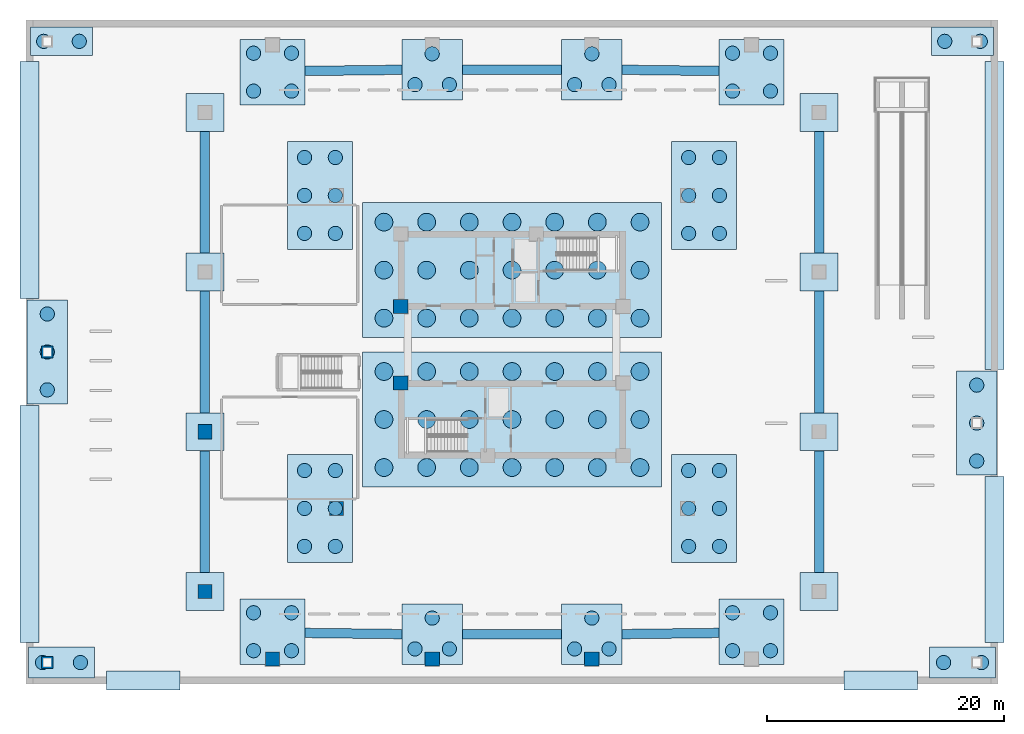
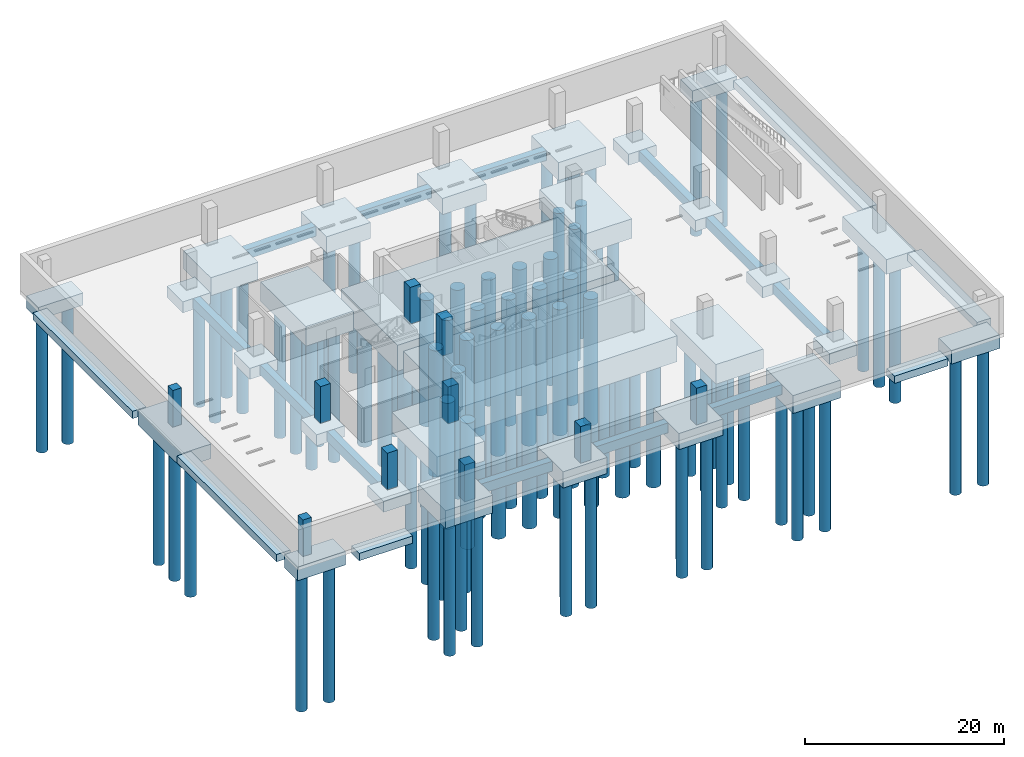
# One storey, part 1 of 8: 108 piles, 46 footings, 10 columns.
"""IFC4 building model written with IfcOpenShell, lengths in metres."""

from ifc_helpers import new_model, si_unit, direction, frame, origin, origin_2d, place, context, subcontext, project, spatial, rectangle, circle, extrude, material, material_profile, profile_set, type_object, element, save


model = new_model("IFC4")

# Units and contexts
model_context = context("Model", 3, precision=1e-05, world=origin(), true_north=direction((0.0, 1.0)))
body_context = subcontext(model_context, "Body", "Model", "MODEL_VIEW")
ifc_project = project(units=[si_unit("LENGTHUNIT", "METRE"), si_unit("AREAUNIT", "SQUARE_METRE"), si_unit("VOLUMEUNIT", "CUBIC_METRE"), si_unit("PLANEANGLEUNIT", "RADIAN"), si_unit("MASSUNIT", "GRAM", prefix="KILO")], contexts=[model_context])

# Site, building, storey
site_placement = place(None, origin())
site = spatial("IfcSite", under=ifc_project, at=site_placement, CompositionType="ELEMENT")
building_placement = place(site_placement, origin())
building = spatial("IfcBuilding", under=site, at=building_placement, Name="Qhalaya Broadcast Tower", CompositionType="ELEMENT")
storey_placement = place(building_placement, frame((0.0, 0.0, -9.0)))
storey = spatial("IfcBuildingStorey", under=building, at=storey_placement, Name="B02", CompositionType="ELEMENT", Elevation=-9.0)

# Piles
ifc_material_1 = material(Name="Concrete C45/55", Category="concrete")
ifc_material_profile_1 = material_profile(ifc_material_1, circle(Radius=0.60009765625, at=origin_2d()), Name="PILE D1200")
ifc_profile_set_1 = profile_set([ifc_material_profile_1], Name="Concrete C45/55")
pile_type_1 = type_object("IfcPileType", Name="Bored Concrete Foundation Pile D1200", PredefinedType="BORED", material=ifc_profile_set_1)
for number, where, z_axis, x_axis, name in (
    (1, (-17.5, -16.39990234375, -2.699951171875), (0.0, 0.0, -1.0), (1.0, 0.0, 0.0), "Bored Foundation Pile PL-043"),
    (2, (-14.89990234375, -16.39990234375, -2.699951171875), (0.0, 0.0, -1.0), (1.0, 0.0, 0.0), "Bored Foundation Pile PL-044"),
    (3, (-17.5, -13.199951171875, -2.699951171875), (0.0, 0.0, -1.0), (1.0, 0.0, 0.0), "Bored Foundation Pile PL-045"),
    (4, (-14.89990234375, -13.199951171875, -2.699951171875), (0.0, 0.0, -1.0), (1.0, 0.0, 0.0), "Bored Foundation Pile PL-046"),
    (5, (-17.5, -10.0, -2.699951171875), (0.0, 0.0, -1.0), (1.0, 0.0, 0.0), "Bored Foundation Pile PL-047"),
    (6, (-14.89990234375, -10.0, -2.699951171875), (0.0, 0.0, -1.0), (1.0, 0.0, 0.0), "Bored Foundation Pile PL-048"),
    (7, (14.89990234375, -16.39990234375, -2.699951171875), (0.0, 0.0, -1.0), (1.0, 0.0, 0.0), "Bored Foundation Pile PL-049"),
    (8, (17.5, -16.39990234375, -2.699951171875), (0.0, 0.0, -1.0), (1.0, 0.0, 0.0), "Bored Foundation Pile PL-050"),
    (9, (14.89990234375, -13.199951171875, -2.699951171875), (0.0, 0.0, -1.0), (1.0, 0.0, 0.0), "Bored Foundation Pile PL-051"),
    (10, (17.5, -13.199951171875, -2.699951171875), (0.0, 0.0, -1.0), (1.0, 0.0, 0.0), "Bored Foundation Pile PL-052"),
    (11, (14.89990234375, -10.0, -2.699951171875), (0.0, 0.0, -1.0), (1.0, 0.0, 0.0), "Bored Foundation Pile PL-053"),
    (12, (17.5, -10.0, -2.699951171875), (0.0, 0.0, -1.0), (1.0, 0.0, 0.0), "Bored Foundation Pile PL-054"),
    (13, (-17.5, 10.0, -2.699951171875), (0.0, 0.0, -1.0), (1.0, 0.0, 0.0), "Bored Foundation Pile PL-055"),
    (14, (-14.89990234375, 10.0, -2.699951171875), (0.0, 0.0, -1.0), (1.0, 0.0, 0.0), "Bored Foundation Pile PL-056"),
    (15, (-17.5, 13.199951171875, -2.699951171875), (0.0, 0.0, -1.0), (1.0, 0.0, 0.0), "Bored Foundation Pile PL-057"),
    (16, (-14.89990234375, 13.199951171875, -2.699951171875), (0.0, 0.0, -1.0), (1.0, 0.0, 0.0), "Bored Foundation Pile PL-058"),
    (17, (-17.5, 16.39990234375, -2.699951171875), (0.0, 0.0, -1.0), (1.0, 0.0, 0.0), "Bored Foundation Pile PL-059"),
    (18, (-14.89990234375, 16.39990234375, -2.699951171875), (0.0, 0.0, -1.0), (1.0, 0.0, 0.0), "Bored Foundation Pile PL-060"),
    (19, (14.89990234375, 10.0, -2.699951171875), (0.0, 0.0, -1.0), (1.0, 0.0, 0.0), "Bored Foundation Pile PL-061"),
    (20, (17.5, 10.0, -2.699951171875), (0.0, 0.0, -1.0), (1.0, 0.0, 0.0), "Bored Foundation Pile PL-062"),
    (21, (14.89990234375, 13.199951171875, -2.699951171875), (0.0, 0.0, -1.0), (1.0, 0.0, 0.0), "Bored Foundation Pile PL-063"),
    (22, (17.5, 13.199951171875, -2.699951171875), (0.0, 0.0, -1.0), (1.0, 0.0, 0.0), "Bored Foundation Pile PL-064"),
    (23, (14.89990234375, 16.39990234375, -2.699951171875), (0.0, 0.0, -1.0), (1.0, 0.0, 0.0), "Bored Foundation Pile PL-065"),
    (24, (17.5, 16.39990234375, -2.699951171875), (0.0, 0.0, -1.0), (1.0, 0.0, 0.0), "Bored Foundation Pile PL-066"),
):
    element("IfcPile", number, at=place(storey_placement, frame(where, z_axis=z_axis, x_axis=x_axis)), inside=storey, type_object=pile_type_1, Name=name, PredefinedType="BORED", context=body_context, shape_type="SweptSolid", body=[
        extrude(circle(Radius=0.60009765625, at=origin_2d()), origin(), (0.0, 0.0, 1.0), 16.300048828125),
    ])
for number, where, z_axis, x_axis, name in (
    (25, (-21.800048828125, -25.199951171875, -2.5), (0.0, 0.0, -1.0), (1.0, 0.0, 0.0), "Bored Foundation Pile PL-067"),
    (26, (-18.60009765625, -25.199951171875, -2.5), (0.0, 0.0, -1.0), (1.0, 0.0, 0.0), "Bored Foundation Pile PL-068"),
    (27, (-21.800048828125, -22.0, -2.5), (0.0, 0.0, -1.0), (1.0, 0.0, 0.0), "Bored Foundation Pile PL-069"),
    (28, (-18.60009765625, -22.0, -2.5), (0.0, 0.0, -1.0), (1.0, 0.0, 0.0), "Bored Foundation Pile PL-070"),
    (29, (18.60009765625, -25.199951171875, -2.5), (0.0, 0.0, -1.0), (1.0, 0.0, 0.0), "Bored Foundation Pile PL-071"),
    (30, (21.800048828125, -25.199951171875, -2.5), (0.0, 0.0, -1.0), (1.0, 0.0, 0.0), "Bored Foundation Pile PL-072"),
    (31, (18.60009765625, -22.0, -2.5), (0.0, 0.0, -1.0), (1.0, 0.0, 0.0), "Bored Foundation Pile PL-073"),
    (32, (21.800048828125, -22.0, -2.5), (0.0, 0.0, -1.0), (1.0, 0.0, 0.0), "Bored Foundation Pile PL-074"),
    (33, (-21.800048828125, 22.0, -2.5), (0.0, 0.0, -1.0), (1.0, 0.0, 0.0), "Bored Foundation Pile PL-075"),
    (34, (-18.60009765625, 22.0, -2.5), (0.0, 0.0, -1.0), (1.0, 0.0, 0.0), "Bored Foundation Pile PL-076"),
    (35, (-21.800048828125, 25.199951171875, -2.5), (0.0, 0.0, -1.0), (1.0, 0.0, 0.0), "Bored Foundation Pile PL-077"),
    (36, (-18.60009765625, 25.199951171875, -2.5), (0.0, 0.0, -1.0), (1.0, 0.0, 0.0), "Bored Foundation Pile PL-078"),
    (37, (18.60009765625, 22.0, -2.5), (0.0, 0.0, -1.0), (1.0, 0.0, 0.0), "Bored Foundation Pile PL-079"),
    (38, (21.800048828125, 22.0, -2.5), (0.0, 0.0, -1.0), (1.0, 0.0, 0.0), "Bored Foundation Pile PL-080"),
    (39, (18.60009765625, 25.199951171875, -2.5), (0.0, 0.0, -1.0), (1.0, 0.0, 0.0), "Bored Foundation Pile PL-081"),
    (40, (21.800048828125, 25.199951171875, -2.5), (0.0, 0.0, -1.0), (1.0, 0.0, 0.0), "Bored Foundation Pile PL-082"),
):
    element("IfcPile", number, at=place(storey_placement, frame(where, z_axis=z_axis, x_axis=x_axis)), inside=storey, type_object=pile_type_1, Name=name, PredefinedType="BORED", context=body_context, shape_type="SweptSolid", body=[
        extrude(circle(Radius=0.60009765625, at=origin_2d()), origin(), (0.0, 0.0, 1.0), 16.5),
    ])
for number, where, z_axis, x_axis, name in (
    (41, (-8.183349609375, -25.050048828125, -2.300048828125), (0.0, 0.0, -1.0), (1.0, 0.0, 0.0), "Bored Foundation Pile PL-083"),
    (42, (-5.283203125, -25.050048828125, -2.300048828125), (0.0, 0.0, -1.0), (1.0, 0.0, 0.0), "Bored Foundation Pile PL-084"),
    (43, (-6.7333984375, -22.449951171875, -2.300048828125), (0.0, 0.0, -1.0), (1.0, 0.0, 0.0), "Bored Foundation Pile PL-085"),
    (44, (5.283203125, -25.050048828125, -2.300048828125), (0.0, 0.0, -1.0), (1.0, 0.0, 0.0), "Bored Foundation Pile PL-086"),
    (45, (8.183349609375, -25.050048828125, -2.300048828125), (0.0, 0.0, -1.0), (1.0, 0.0, 0.0), "Bored Foundation Pile PL-087"),
    (46, (6.7333984375, -22.449951171875, -2.300048828125), (0.0, 0.0, -1.0), (1.0, 0.0, 0.0), "Bored Foundation Pile PL-088"),
    (47, (-8.183349609375, 22.550048828125, -2.300048828125), (0.0, 0.0, -1.0), (1.0, 0.0, 0.0), "Bored Foundation Pile PL-089"),
    (48, (-5.283203125, 22.550048828125, -2.300048828125), (0.0, 0.0, -1.0), (1.0, 0.0, 0.0), "Bored Foundation Pile PL-090"),
    (49, (-6.7333984375, 25.14990234375, -2.300048828125), (0.0, 0.0, -1.0), (1.0, 0.0, 0.0), "Bored Foundation Pile PL-091"),
    (50, (5.283203125, 22.550048828125, -2.300048828125), (0.0, 0.0, -1.0), (1.0, 0.0, 0.0), "Bored Foundation Pile PL-092"),
    (51, (8.183349609375, 22.550048828125, -2.300048828125), (0.0, 0.0, -1.0), (1.0, 0.0, 0.0), "Bored Foundation Pile PL-093"),
    (52, (6.7333984375, 25.14990234375, -2.300048828125), (0.0, 0.0, -1.0), (1.0, 0.0, 0.0), "Bored Foundation Pile PL-094"),
):
    element("IfcPile", number, at=place(storey_placement, frame(where, z_axis=z_axis, x_axis=x_axis)), inside=storey, type_object=pile_type_1, Name=name, PredefinedType="BORED", context=body_context, shape_type="SweptSolid", body=[
        extrude(circle(Radius=0.60009765625, at=origin_2d()), origin(), (0.0, 0.0, 1.0), 16.699951171875),
    ])
for number, where, z_axis, x_axis, name in (
    (53, (-39.199951171875, -3.199951171875, -2.10009765625), (0.0, 0.0, -1.0), (1.0, 0.0, 0.0), "Bored Foundation Pile PL-095"),
    (54, (-39.199951171875, 0.0, -2.10009765625), (0.0, 0.0, -1.0), (1.0, 0.0, 0.0), "Bored Foundation Pile PL-096"),
    (55, (-39.199951171875, 3.199951171875, -2.10009765625), (0.0, 0.0, -1.0), (1.0, 0.0, 0.0), "Bored Foundation Pile PL-097"),
    (56, (39.199951171875, -9.199951171875, -2.10009765625), (0.0, 0.0, -1.0), (1.0, 0.0, 0.0), "Bored Foundation Pile PL-098"),
    (57, (39.199951171875, -6.0, -2.10009765625), (0.0, 0.0, -1.0), (1.0, 0.0, 0.0), "Bored Foundation Pile PL-099"),
    (58, (39.199951171875, -2.800048828125, -2.10009765625), (0.0, 0.0, -1.0), (1.0, 0.0, 0.0), "Bored Foundation Pile PL-100"),
):
    element("IfcPile", number, at=place(storey_placement, frame(where, z_axis=z_axis, x_axis=x_axis)), inside=storey, type_object=pile_type_1, Name=name, PredefinedType="BORED", context=body_context, shape_type="SweptSolid", body=[
        extrude(circle(Radius=0.60009765625, at=origin_2d()), origin(), (0.0, 0.0, 1.0), 16.89990234375),
    ])
for number, where, z_axis, x_axis, name in (
    (59, (-39.60009765625, -26.199951171875, -1.949951171875), (0.0, 0.0, -1.0), (1.0, 0.0, 0.0), "Bored Foundation Pile PL-101"),
    (60, (-36.39990234375, -26.199951171875, -1.949951171875), (0.0, 0.0, -1.0), (1.0, 0.0, 0.0), "Bored Foundation Pile PL-102"),
    (61, (36.39990234375, -26.199951171875, -1.949951171875), (0.0, 0.0, -1.0), (1.0, 0.0, 0.0), "Bored Foundation Pile PL-103"),
    (62, (39.60009765625, -26.199951171875, -1.949951171875), (0.0, 0.0, -1.0), (1.0, 0.0, 0.0), "Bored Foundation Pile PL-104"),
):
    element("IfcPile", number, at=place(storey_placement, frame(where, z_axis=z_axis, x_axis=x_axis)), inside=storey, type_object=pile_type_1, Name=name, PredefinedType="BORED", context=body_context, shape_type="SweptSolid", body=[
        extrude(circle(Radius=0.60009765625, at=origin_2d()), origin(), (0.0, 0.0, 1.0), 17.050048828125),
    ])
for number, where, z_axis, x_axis, name in (
    (63, (-39.5, 26.199951171875, -1.800048828125), (0.0, 0.0, -1.0), (1.0, 0.0, 0.0), "Bored Foundation Pile PL-105"),
    (64, (-36.5, 26.199951171875, -1.800048828125), (0.0, 0.0, -1.0), (1.0, 0.0, 0.0), "Bored Foundation Pile PL-106"),
    (65, (36.5, 26.199951171875, -1.800048828125), (0.0, 0.0, -1.0), (1.0, 0.0, 0.0), "Bored Foundation Pile PL-107"),
    (66, (39.5, 26.199951171875, -1.800048828125), (0.0, 0.0, -1.0), (1.0, 0.0, 0.0), "Bored Foundation Pile PL-108"),
):
    element("IfcPile", number, at=place(storey_placement, frame(where, z_axis=z_axis, x_axis=x_axis)), inside=storey, type_object=pile_type_1, Name=name, PredefinedType="BORED", context=body_context, shape_type="SweptSolid", body=[
        extrude(circle(Radius=0.60009765625, at=origin_2d()), origin(), (0.0, 0.0, 1.0), 17.199951171875),
    ])
ifc_material_profile_2 = material_profile(ifc_material_1, circle(Radius=0.75, at=origin_2d()), Name="PILE D1500")
ifc_profile_set_2 = profile_set([ifc_material_profile_2], Name="Concrete C45/55")
pile_type_2 = type_object("IfcPileType", Name="Bored Concrete Foundation Pile D1500", PredefinedType="BORED", material=ifc_profile_set_2)
for number, where, z_axis, x_axis, name in (
    (67, (-10.800048828125, 2.85009765625, -3.5), (0.0, 0.0, -1.0), (1.0, 0.0, 0.0), "Bored Foundation Pile PL-001"),
    (68, (-7.199951171875, 2.85009765625, -3.5), (0.0, 0.0, -1.0), (1.0, 0.0, 0.0), "Bored Foundation Pile PL-002"),
    (69, (-3.60009765625, 2.85009765625, -3.5), (0.0, 0.0, -1.0), (1.0, 0.0, 0.0), "Bored Foundation Pile PL-003"),
    (70, (0.0, 2.85009765625, -3.5), (0.0, 0.0, -1.0), (1.0, 0.0, 0.0), "Bored Foundation Pile PL-004"),
    (71, (3.60009765625, 2.85009765625, -3.5), (0.0, 0.0, -1.0), (1.0, 0.0, 0.0), "Bored Foundation Pile PL-005"),
    (72, (7.199951171875, 2.85009765625, -3.5), (0.0, 0.0, -1.0), (1.0, 0.0, 0.0), "Bored Foundation Pile PL-006"),
    (73, (10.800048828125, 2.85009765625, -3.5), (0.0, 0.0, -1.0), (1.0, 0.0, 0.0), "Bored Foundation Pile PL-007"),
    (74, (-10.800048828125, 6.89990234375, -3.5), (0.0, 0.0, -1.0), (1.0, 0.0, 0.0), "Bored Foundation Pile PL-008"),
    (75, (-7.199951171875, 6.89990234375, -3.5), (0.0, 0.0, -1.0), (1.0, 0.0, 0.0), "Bored Foundation Pile PL-009"),
    (76, (-3.60009765625, 6.89990234375, -3.5), (0.0, 0.0, -1.0), (1.0, 0.0, 0.0), "Bored Foundation Pile PL-010"),
    (77, (0.0, 6.89990234375, -3.5), (0.0, 0.0, -1.0), (1.0, 0.0, 0.0), "Bored Foundation Pile PL-011"),
    (78, (3.60009765625, 6.89990234375, -3.5), (0.0, 0.0, -1.0), (1.0, 0.0, 0.0), "Bored Foundation Pile PL-012"),
    (79, (7.199951171875, 6.89990234375, -3.5), (0.0, 0.0, -1.0), (1.0, 0.0, 0.0), "Bored Foundation Pile PL-013"),
    (80, (10.800048828125, 6.89990234375, -3.5), (0.0, 0.0, -1.0), (1.0, 0.0, 0.0), "Bored Foundation Pile PL-014"),
    (81, (-10.800048828125, 10.949951171875, -3.5), (0.0, 0.0, -1.0), (1.0, 0.0, 0.0), "Bored Foundation Pile PL-015"),
    (82, (-7.199951171875, 10.949951171875, -3.5), (0.0, 0.0, -1.0), (1.0, 0.0, 0.0), "Bored Foundation Pile PL-016"),
    (83, (-3.60009765625, 10.949951171875, -3.5), (0.0, 0.0, -1.0), (1.0, 0.0, 0.0), "Bored Foundation Pile PL-017"),
    (84, (0.0, 10.949951171875, -3.5), (0.0, 0.0, -1.0), (1.0, 0.0, 0.0), "Bored Foundation Pile PL-018"),
    (85, (3.60009765625, 10.949951171875, -3.5), (0.0, 0.0, -1.0), (1.0, 0.0, 0.0), "Bored Foundation Pile PL-019"),
    (86, (7.199951171875, 10.949951171875, -3.5), (0.0, 0.0, -1.0), (1.0, 0.0, 0.0), "Bored Foundation Pile PL-020"),
    (87, (10.800048828125, 10.949951171875, -3.5), (0.0, 0.0, -1.0), (1.0, 0.0, 0.0), "Bored Foundation Pile PL-021"),
    (88, (-10.800048828125, -9.75, -3.5), (0.0, 0.0, -1.0), (1.0, 0.0, 0.0), "Bored Foundation Pile PL-022"),
    (89, (-7.199951171875, -9.75, -3.5), (0.0, 0.0, -1.0), (1.0, 0.0, 0.0), "Bored Foundation Pile PL-023"),
    (90, (-3.60009765625, -9.75, -3.5), (0.0, 0.0, -1.0), (1.0, 0.0, 0.0), "Bored Foundation Pile PL-024"),
    (91, (0.0, -9.75, -3.5), (0.0, 0.0, -1.0), (1.0, 0.0, 0.0), "Bored Foundation Pile PL-025"),
    (92, (3.60009765625, -9.75, -3.5), (0.0, 0.0, -1.0), (1.0, 0.0, 0.0), "Bored Foundation Pile PL-026"),
    (93, (7.199951171875, -9.75, -3.5), (0.0, 0.0, -1.0), (1.0, 0.0, 0.0), "Bored Foundation Pile PL-027"),
    (94, (10.800048828125, -9.75, -3.5), (0.0, 0.0, -1.0), (1.0, 0.0, 0.0), "Bored Foundation Pile PL-028"),
    (95, (-10.800048828125, -5.699951171875, -3.5), (0.0, 0.0, -1.0), (1.0, 0.0, 0.0), "Bored Foundation Pile PL-029"),
    (96, (-7.199951171875, -5.699951171875, -3.5), (0.0, 0.0, -1.0), (1.0, 0.0, 0.0), "Bored Foundation Pile PL-030"),
    (97, (-3.60009765625, -5.699951171875, -3.5), (0.0, 0.0, -1.0), (1.0, 0.0, 0.0), "Bored Foundation Pile PL-031"),
    (98, (0.0, -5.699951171875, -3.5), (0.0, 0.0, -1.0), (1.0, 0.0, 0.0), "Bored Foundation Pile PL-032"),
    (99, (3.60009765625, -5.699951171875, -3.5), (0.0, 0.0, -1.0), (1.0, 0.0, 0.0), "Bored Foundation Pile PL-033"),
    (100, (7.199951171875, -5.699951171875, -3.5), (0.0, 0.0, -1.0), (1.0, 0.0, 0.0), "Bored Foundation Pile PL-034"),
    (101, (10.800048828125, -5.699951171875, -3.5), (0.0, 0.0, -1.0), (1.0, 0.0, 0.0), "Bored Foundation Pile PL-035"),
    (102, (-10.800048828125, -1.64990234375, -3.5), (0.0, 0.0, -1.0), (1.0, 0.0, 0.0), "Bored Foundation Pile PL-036"),
    (103, (-7.199951171875, -1.64990234375, -3.5), (0.0, 0.0, -1.0), (1.0, 0.0, 0.0), "Bored Foundation Pile PL-037"),
    (104, (-3.60009765625, -1.64990234375, -3.5), (0.0, 0.0, -1.0), (1.0, 0.0, 0.0), "Bored Foundation Pile PL-038"),
    (105, (0.0, -1.64990234375, -3.5), (0.0, 0.0, -1.0), (1.0, 0.0, 0.0), "Bored Foundation Pile PL-039"),
    (106, (3.60009765625, -1.64990234375, -3.5), (0.0, 0.0, -1.0), (1.0, 0.0, 0.0), "Bored Foundation Pile PL-040"),
    (107, (7.199951171875, -1.64990234375, -3.5), (0.0, 0.0, -1.0), (1.0, 0.0, 0.0), "Bored Foundation Pile PL-041"),
    (108, (10.800048828125, -1.64990234375, -3.5), (0.0, 0.0, -1.0), (1.0, 0.0, 0.0), "Bored Foundation Pile PL-042"),
):
    element("IfcPile", number, at=place(storey_placement, frame(where, z_axis=z_axis, x_axis=x_axis)), inside=storey, type_object=pile_type_2, Name=name, PredefinedType="BORED", context=body_context, shape_type="SweptSolid", body=[
        extrude(circle(Radius=0.75, at=origin_2d()), origin(), (0.0, 0.0, 1.0), 15.5),
    ])

# Footings
ifc_material_2 = material(Name="Concrete C50/60", Category="concrete")
footing_type_1 = type_object("IfcFootingType", Name="Concourse Portal 2-Pile Cap PC-06", PredefinedType="PILE_CAP", material=ifc_material_2)
for number, where, z_axis, x_axis, name in (
    (109, (-38.0, 26.199951171875, -1.949951171875), (0.0, 0.0, 1.0), (1.0, 0.0, 0.0), "Foundation Pile Cap FT-CAP-17"),
    (110, (38.0, 26.199951171875, -1.949951171875), (0.0, 0.0, 1.0), (1.0, 0.0, 0.0), "Foundation Pile Cap FT-CAP-18"),
):
    element("IfcFooting", number, at=place(storey_placement, frame(where, z_axis=z_axis, x_axis=x_axis)), inside=storey, type_object=footing_type_1, Name=name, PredefinedType="PILE_CAP", context=body_context, shape_type="SweptSolid", body=[
        extrude(rectangle(XDim=5.199951171875, YDim=2.39990234375, at=origin_2d()), origin(), (0.0, 0.0, 1.0), 1.5),
    ])
footing_type_2 = type_object("IfcFootingType", Name="Exoskeleton Corner 4-Pile Cap PC-02", PredefinedType="PILE_CAP", material=ifc_material_2)
for number, where, z_axis, x_axis, name in (
    (111, (-20.199951171875, -23.60009765625, -2.64990234375), (0.0, 0.0, 1.0), (1.0, 0.0, 0.0), "Foundation Pile Cap FT-CAP-05"),
    (112, (20.199951171875, -23.60009765625, -2.64990234375), (0.0, 0.0, 1.0), (1.0, 0.0, 0.0), "Foundation Pile Cap FT-CAP-06"),
    (113, (-20.199951171875, 23.60009765625, -2.64990234375), (0.0, 0.0, 1.0), (1.0, 0.0, 0.0), "Foundation Pile Cap FT-CAP-07"),
    (114, (20.199951171875, 23.60009765625, -2.64990234375), (0.0, 0.0, 1.0), (1.0, 0.0, 0.0), "Foundation Pile Cap FT-CAP-08"),
):
    element("IfcFooting", number, at=place(storey_placement, frame(where, z_axis=z_axis, x_axis=x_axis)), inside=storey, type_object=footing_type_2, Name=name, PredefinedType="PILE_CAP", context=body_context, shape_type="SweptSolid", body=[
        extrude(rectangle(XDim=5.5, YDim=5.5, at=origin_2d()), origin(), (0.0, 0.0, 1.0), 2.199951171875),
    ])
footing_type_3 = type_object("IfcFootingType", Name="Mega-Column 6-Pile Cap PC-01", PredefinedType="PILE_CAP", material=ifc_material_2)
for number, where, z_axis, x_axis, name in (
    (115, (-16.199951171875, -13.199951171875, -2.849853515625), (0.0, 0.0, 1.0), (1.0, 0.0, 0.0), "Foundation Pile Cap FT-CAP-01"),
    (116, (16.199951171875, -13.199951171875, -2.849853515625), (0.0, 0.0, 1.0), (1.0, 0.0, 0.0), "Foundation Pile Cap FT-CAP-02"),
    (117, (-16.199951171875, 13.199951171875, -2.849853515625), (0.0, 0.0, 1.0), (1.0, 0.0, 0.0), "Foundation Pile Cap FT-CAP-03"),
    (118, (16.199951171875, 13.199951171875, -2.849853515625), (0.0, 0.0, 1.0), (1.0, 0.0, 0.0), "Foundation Pile Cap FT-CAP-04"),
):
    element("IfcFooting", number, at=place(storey_placement, frame(where, z_axis=z_axis, x_axis=x_axis)), inside=storey, type_object=footing_type_3, Name=name, PredefinedType="PILE_CAP", context=body_context, shape_type="SweptSolid", body=[
        extrude(rectangle(XDim=5.5, YDim=9.10009765625, at=origin_2d()), origin(), (0.0, 0.0, 1.0), 2.39990234375),
    ])
footing_type_4 = type_object("IfcFootingType", Name="North & South Split-Core Piled Raft 3200", PredefinedType="PAD_FOOTING", material=ifc_material_2)
for number, where, z_axis, x_axis, name in (
    (119, (0.0, 6.89990234375, -3.64990234375), (0.0, 0.0, 1.0), (1.0, 0.0, 0.0), "North Split-Core Piled Raft RF-N"),
    (120, (0.0, -5.699951171875, -3.64990234375), (0.0, 0.0, 1.0), (1.0, 0.0, 0.0), "South Split-Core Piled Raft RF-S"),
):
    element("IfcFooting", number, at=place(storey_placement, frame(where, z_axis=z_axis, x_axis=x_axis)), inside=storey, type_object=footing_type_4, Name=name, PredefinedType="PAD_FOOTING", context=body_context, shape_type="SweptSolid", body=[
        extrude(rectangle(XDim=25.199951171875, YDim=11.39990234375, at=origin_2d()), origin(), (0.0, 0.0, 1.0), 3.199951171875),
    ])
footing_type_5 = type_object("IfcFootingType", Name="Podium Perimeter 2-Pile Cap PC-05", PredefinedType="PILE_CAP", material=ifc_material_2)
for number, where, z_axis, x_axis, name in (
    (121, (-38.0, -26.199951171875, -2.099853515625), (0.0, 0.0, 1.0), (1.0, 0.0, 0.0), "Foundation Pile Cap FT-CAP-15"),
    (122, (38.0, -26.199951171875, -2.099853515625), (0.0, 0.0, 1.0), (1.0, 0.0, 0.0), "Foundation Pile Cap FT-CAP-16"),
):
    element("IfcFooting", number, at=place(storey_placement, frame(where, z_axis=z_axis, x_axis=x_axis)), inside=storey, type_object=footing_type_5, Name=name, PredefinedType="PILE_CAP", context=body_context, shape_type="SweptSolid", body=[
        extrude(rectangle(XDim=5.60009765625, YDim=2.60009765625, at=origin_2d()), origin(), (0.0, 0.0, 1.0), 1.64990234375),
    ])
footing_type_6 = type_object("IfcFootingType", Name="Podium Soundstage 3-Pile Cap PC-04", PredefinedType="PILE_CAP", material=ifc_material_2)
for number, where, z_axis, x_axis, name in (
    (123, (-39.199951171875, 0.0, -2.25), (0.0, 0.0, 1.0), (1.0, 0.0, 0.0), "Foundation Pile Cap FT-CAP-13"),
    (124, (39.199951171875, -6.0, -2.25), (0.0, 0.0, 1.0), (1.0, 0.0, 0.0), "Foundation Pile Cap FT-CAP-14"),
):
    element("IfcFooting", number, at=place(storey_placement, frame(where, z_axis=z_axis, x_axis=x_axis)), inside=storey, type_object=footing_type_6, Name=name, PredefinedType="PILE_CAP", context=body_context, shape_type="SweptSolid", body=[
        extrude(rectangle(XDim=3.39990234375, YDim=8.800048828125, at=origin_2d()), origin(), (0.0, 0.0, 1.0), 1.800048828125),
    ])
footing_type_7 = type_object("IfcFootingType", Name="Ramp & Dock Pad Footing PF-01", PredefinedType="PAD_FOOTING", material=ifc_material_2)
for number, where, z_axis, x_axis, name in (
    (125, (-25.89990234375, -20.199951171875, -1.800048828125), (0.0, 0.0, 1.0), (1.0, 0.0, 0.0), "Substructure Pad Footing PF-01"),
    (126, (25.89990234375, -20.199951171875, -1.800048828125), (0.0, 0.0, 1.0), (1.0, 0.0, 0.0), "Substructure Pad Footing PF-02"),
    (127, (-25.89990234375, 20.199951171875, -1.800048828125), (0.0, 0.0, 1.0), (1.0, 0.0, 0.0), "Substructure Pad Footing PF-03"),
    (128, (25.89990234375, 20.199951171875, -1.800048828125), (0.0, 0.0, 1.0), (1.0, 0.0, 0.0), "Substructure Pad Footing PF-04"),
    (129, (-25.89990234375, -6.7333984375, -1.800048828125), (0.0, 0.0, 1.0), (1.0, 0.0, 0.0), "Substructure Pad Footing PF-05"),
    (130, (25.89990234375, -6.7333984375, -1.800048828125), (0.0, 0.0, 1.0), (1.0, 0.0, 0.0), "Substructure Pad Footing PF-06"),
    (131, (-25.89990234375, 6.7333984375, -1.800048828125), (0.0, 0.0, 1.0), (1.0, 0.0, 0.0), "Substructure Pad Footing PF-07"),
    (132, (25.89990234375, 6.7333984375, -1.800048828125), (0.0, 0.0, 1.0), (1.0, 0.0, 0.0), "Substructure Pad Footing PF-08"),
):
    element("IfcFooting", number, at=place(storey_placement, frame(where, z_axis=z_axis, x_axis=x_axis)), inside=storey, type_object=footing_type_7, Name=name, PredefinedType="PAD_FOOTING", context=body_context, shape_type="SweptSolid", body=[
        extrude(rectangle(XDim=3.199951171875, YDim=3.199951171875, at=origin_2d()), origin(), (0.0, 0.0, 1.0), 1.35009765625),
    ])
footing_type_8 = type_object("IfcFootingType", Name="Retaining Wall Strip Footing SF-01", PredefinedType="STRIP_FOOTING", material=ifc_material_2)
for number, where, z_axis, x_axis, name in (
    (133, (-40.699951171875, -14.5, -1.349853515625), (0.0, 0.0, 1.0), (0.0, 1.0, 0.0), "Retaining Wall Strip Footing SF-01"),
    (134, (-40.699951171875, 14.5, -1.349853515625), (0.0, 0.0, 1.0), (0.0, 1.0, 0.0), "Retaining Wall Strip Footing SF-02"),
):
    element("IfcFooting", number, at=place(storey_placement, frame(where, z_axis=z_axis, x_axis=x_axis)), inside=storey, type_object=footing_type_8, Name=name, PredefinedType="STRIP_FOOTING", context=body_context, shape_type="SweptSolid", body=[
        extrude(rectangle(XDim=20.0, YDim=1.60009765625, at=origin_2d()), origin(), (0.0, 0.0, 1.0), 0.89990234375),
    ])
footing_1_placement = place(storey_placement, frame((40.699951171875, -17.5, -1.349853515625), z_axis=(0.0, 0.0, 1.0), x_axis=(0.0, 1.0, 0.0)))
element("IfcFooting", 135, at=footing_1_placement, inside=storey, type_object=footing_type_8, Name="Retaining Wall Strip Footing SF-03", PredefinedType="STRIP_FOOTING", context=body_context, shape_type="SweptSolid", body=[
    extrude(rectangle(XDim=14.0, YDim=1.60009765625, at=origin_2d()), origin(), (0.0, 0.0, 1.0), 0.89990234375),
])
footing_2_placement = place(storey_placement, frame((40.699951171875, 11.5, -1.349853515625), z_axis=(0.0, 0.0, 1.0), x_axis=(0.0, 1.0, 0.0)))
element("IfcFooting", 136, at=footing_2_placement, inside=storey, type_object=footing_type_8, Name="Retaining Wall Strip Footing SF-04", PredefinedType="STRIP_FOOTING", context=body_context, shape_type="SweptSolid", body=[
    extrude(rectangle(XDim=26.0, YDim=1.60009765625, at=origin_2d()), origin(), (0.0, 0.0, 1.0), 0.89990234375),
])
for number, where, z_axis, x_axis, name in (
    (137, (-31.10009765625, -27.699951171875, -1.349853515625), (0.0, 0.0, 1.0), (1.0, 0.0, 0.0), "Retaining Wall Strip Footing SF-05"),
    (138, (31.10009765625, -27.699951171875, -1.349853515625), (0.0, 0.0, 1.0), (1.0, 0.0, 0.0), "Retaining Wall Strip Footing SF-06"),
):
    element("IfcFooting", number, at=place(storey_placement, frame(where, z_axis=z_axis, x_axis=x_axis)), inside=storey, type_object=footing_type_8, Name=name, PredefinedType="STRIP_FOOTING", context=body_context, shape_type="SweptSolid", body=[
        extrude(rectangle(XDim=6.199951171875, YDim=1.60009765625, at=origin_2d()), origin(), (0.0, 0.0, 1.0), 0.89990234375),
    ])
footing_type_9 = type_object("IfcFootingType", Name="Substructure Ground Tie Beam GB-01", PredefinedType="FOOTING_BEAM", material=ifc_material_2)
footing_3_placement = place(storey_placement, frame((-13.3701171875, -23.75, -1.64990234375), z_axis=(0.0, 0.0, 1.0), x_axis=(0.999924921212, -0.012253650006, 0.0)))
element("IfcFooting", 139, at=footing_3_placement, inside=storey, type_object=footing_type_9, Name="Substructure Ground Tie Beam GB-01", PredefinedType="FOOTING_BEAM", context=body_context, shape_type="SweptSolid", body=[
    extrude(rectangle(XDim=8.16064453125, YDim=0.800048828125, at=origin_2d()), origin(), (0.0, 0.0, 1.0), 1.199951171875),
])
footing_4_placement = place(storey_placement, frame((0.0, -23.800048828125, -1.64990234375), z_axis=(0.0, 0.0, 1.0), x_axis=(1.0, 0.0, 0.0)))
element("IfcFooting", 140, at=footing_4_placement, inside=storey, type_object=footing_type_9, Name="Substructure Ground Tie Beam GB-02", PredefinedType="FOOTING_BEAM", context=body_context, shape_type="SweptSolid", body=[
    extrude(rectangle(XDim=8.360107421875, YDim=0.800048828125, at=origin_2d()), origin(), (0.0, 0.0, 1.0), 1.199951171875),
])
for number, where, z_axis, x_axis, name in (
    (141, (13.3701171875, -23.75, -1.64990234375), (0.0, 0.0, 1.0), (0.999924921212, 0.012253650006, 0.0), "Substructure Ground Tie Beam GB-03"),
    (142, (-13.3701171875, 23.75, -1.64990234375), (0.0, 0.0, 1.0), (0.999924921212, 0.012253650006, 0.0), "Substructure Ground Tie Beam GB-04"),
):
    element("IfcFooting", number, at=place(storey_placement, frame(where, z_axis=z_axis, x_axis=x_axis)), inside=storey, type_object=footing_type_9, Name=name, PredefinedType="FOOTING_BEAM", context=body_context, shape_type="SweptSolid", body=[
        extrude(rectangle(XDim=8.16064453125, YDim=0.800048828125, at=origin_2d()), origin(), (0.0, 0.0, 1.0), 1.199951171875),
    ])
footing_5_placement = place(storey_placement, frame((0.0, 23.800048828125, -1.64990234375), z_axis=(0.0, 0.0, 1.0), x_axis=(1.0, 0.0, 0.0)))
element("IfcFooting", 143, at=footing_5_placement, inside=storey, type_object=footing_type_9, Name="Substructure Ground Tie Beam GB-05", PredefinedType="FOOTING_BEAM", context=body_context, shape_type="SweptSolid", body=[
    extrude(rectangle(XDim=8.360107421875, YDim=0.800048828125, at=origin_2d()), origin(), (0.0, 0.0, 1.0), 1.199951171875),
])
footing_6_placement = place(storey_placement, frame((13.3701171875, 23.75, -1.64990234375), z_axis=(0.0, 0.0, 1.0), x_axis=(0.999924921212, -0.012253650006, 0.0)))
element("IfcFooting", 144, at=footing_6_placement, inside=storey, type_object=footing_type_9, Name="Substructure Ground Tie Beam GB-06", PredefinedType="FOOTING_BEAM", context=body_context, shape_type="SweptSolid", body=[
    extrude(rectangle(XDim=8.16064453125, YDim=0.800048828125, at=origin_2d()), origin(), (0.0, 0.0, 1.0), 1.199951171875),
])
for number, where, z_axis, x_axis, name in (
    (145, (-25.89990234375, -13.469970703125, -1.64990234375), (0.0, 0.0, 1.0), (0.0, 1.0, 0.0), "Substructure Ground Tie Beam GB-07"),
    (146, (-25.89990234375, 0.0, -1.64990234375), (0.0, 0.0, 1.0), (0.0, 1.0, 0.0), "Substructure Ground Tie Beam GB-08"),
    (147, (-25.89990234375, 13.469970703125, -1.64990234375), (0.0, 0.0, 1.0), (0.0, 1.0, 0.0), "Substructure Ground Tie Beam GB-09"),
    (148, (25.89990234375, -13.469970703125, -1.64990234375), (0.0, 0.0, 1.0), (0.0, 1.0, 0.0), "Substructure Ground Tie Beam GB-10"),
    (149, (25.89990234375, 0.0, -1.64990234375), (0.0, 0.0, 1.0), (0.0, 1.0, 0.0), "Substructure Ground Tie Beam GB-11"),
    (150, (25.89990234375, 13.469970703125, -1.64990234375), (0.0, 0.0, 1.0), (0.0, 1.0, 0.0), "Substructure Ground Tie Beam GB-12"),
):
    element("IfcFooting", number, at=place(storey_placement, frame(where, z_axis=z_axis, x_axis=x_axis)), inside=storey, type_object=footing_type_9, Name=name, PredefinedType="FOOTING_BEAM", context=body_context, shape_type="SweptSolid", body=[
        extrude(rectangle(XDim=10.260009765625, YDim=0.800048828125, at=origin_2d()), origin(), (0.0, 0.0, 1.0), 1.199951171875),
    ])
footing_type_10 = type_object("IfcFootingType", Name="Tower Perimeter 4-Pile Cap PC-03", PredefinedType="PILE_CAP", material=ifc_material_2)
for number, where, z_axis, x_axis, name in (
    (151, (-6.7333984375, -23.800048828125, -2.449951171875), (0.0, 0.0, 1.0), (1.0, 0.0, 0.0), "Foundation Pile Cap FT-CAP-09"),
    (152, (6.7333984375, -23.800048828125, -2.449951171875), (0.0, 0.0, 1.0), (1.0, 0.0, 0.0), "Foundation Pile Cap FT-CAP-10"),
    (153, (-6.7333984375, 23.800048828125, -2.449951171875), (0.0, 0.0, 1.0), (1.0, 0.0, 0.0), "Foundation Pile Cap FT-CAP-11"),
    (154, (6.7333984375, 23.800048828125, -2.449951171875), (0.0, 0.0, 1.0), (1.0, 0.0, 0.0), "Foundation Pile Cap FT-CAP-12"),
):
    element("IfcFooting", number, at=place(storey_placement, frame(where, z_axis=z_axis, x_axis=x_axis)), inside=storey, type_object=footing_type_10, Name=name, PredefinedType="PILE_CAP", context=body_context, shape_type="SweptSolid", body=[
        extrude(rectangle(XDim=5.10009765625, YDim=5.10009765625, at=origin_2d()), origin(), (0.0, 0.0, 1.0), 2.0),
    ])

# Columns
ifc_material_3 = material(Name="Concrete C60/75", Category="concrete")
ifc_material_profile_3 = material_profile(ifc_material_3, rectangle(XDim=1.0, YDim=1.0, at=origin_2d()), Name="RC-COL 1000x1000")
ifc_profile_set_3 = profile_set([ifc_material_profile_3], Name="Concrete C60/75")
column_type_1 = type_object("IfcColumnType", Name="RC Podium Column C09", PredefinedType="COLUMN", material=ifc_profile_set_3)
for number, where, z_axis, x_axis, name in (
    (155, (-39.199951171875, 0.0, 0.0), (0.0, 0.0, 1.0), (1.0, 0.0, 0.0), "B02 Column COL-E1"),
    (156, (-39.199951171875, -26.199951171875, 0.0), (0.0, 0.0, 1.0), (1.0, 0.0, 0.0), "B02 Column COL-E3"),
):
    element("IfcColumn", number, at=place(storey_placement, frame(where, z_axis=z_axis, x_axis=x_axis)), inside=storey, type_object=column_type_1, Name=name, PredefinedType="COLUMN", context=body_context, shape_type="SweptSolid", body=[
        extrude(rectangle(XDim=1.0, YDim=1.0, at=origin_2d()), origin(), (0.0, 0.0, 1.0), 4.5),
    ])
ifc_material_profile_4 = material_profile(ifc_material_3, rectangle(XDim=1.199951171875, YDim=1.199951171875, at=origin_2d()), Name="RC-COL 1200x1200")
ifc_profile_set_4 = profile_set([ifc_material_profile_4], Name="Concrete C60/75")
column_type_2 = type_object("IfcColumnType", Name="RC Substructure Column C08", PredefinedType="COLUMN", material=ifc_profile_set_4)
for number, where, z_axis, x_axis, name in (
    (157, (-14.800048828125, -13.199951171875, 0.0), (0.0, 0.0, 1.0), (1.0, 0.0, 0.0), "B02 Column COL-GR1"),
    (158, (-20.199951171875, -25.89990234375, 0.0), (0.0, 0.0, 1.0), (1.0, 0.0, 0.0), "B02 Column COL-B1P01"),
    (159, (-6.7333984375, -25.89990234375, 0.0), (0.0, 0.0, 1.0), (1.0, 0.0, 0.0), "B02 Column COL-B1P02"),
    (160, (6.7333984375, -25.89990234375, 0.0), (0.0, 0.0, 1.0), (1.0, 0.0, 0.0), "B02 Column COL-B1P03"),
    (161, (-25.89990234375, -6.7333984375, 0.0), (0.0, 0.0, 1.0), (0.0, 1.0, 0.0), "B02 Column COL-B1P15"),
    (162, (-25.89990234375, -20.199951171875, 0.0), (0.0, 0.0, 1.0), (0.0, 1.0, 0.0), "B02 Column COL-B1P16"),
    (163, (-9.375, 3.824951171875, 0.0), (0.0, 0.0, 1.0), (1.0, 0.0, 0.0), "B02 Column COL-CC3"),
    (164, (-9.375, -2.625, 0.0), (0.0, 0.0, 1.0), (1.0, 0.0, 0.0), "B02 Column COL-CC5"),
):
    element("IfcColumn", number, at=place(storey_placement, frame(where, z_axis=z_axis, x_axis=x_axis)), inside=storey, type_object=column_type_2, Name=name, PredefinedType="COLUMN", context=body_context, shape_type="SweptSolid", body=[
        extrude(rectangle(XDim=1.199951171875, YDim=1.199951171875, at=origin_2d()), origin(), (0.0, 0.0, 1.0), 4.5),
    ])

save(model, "model.ifc")
